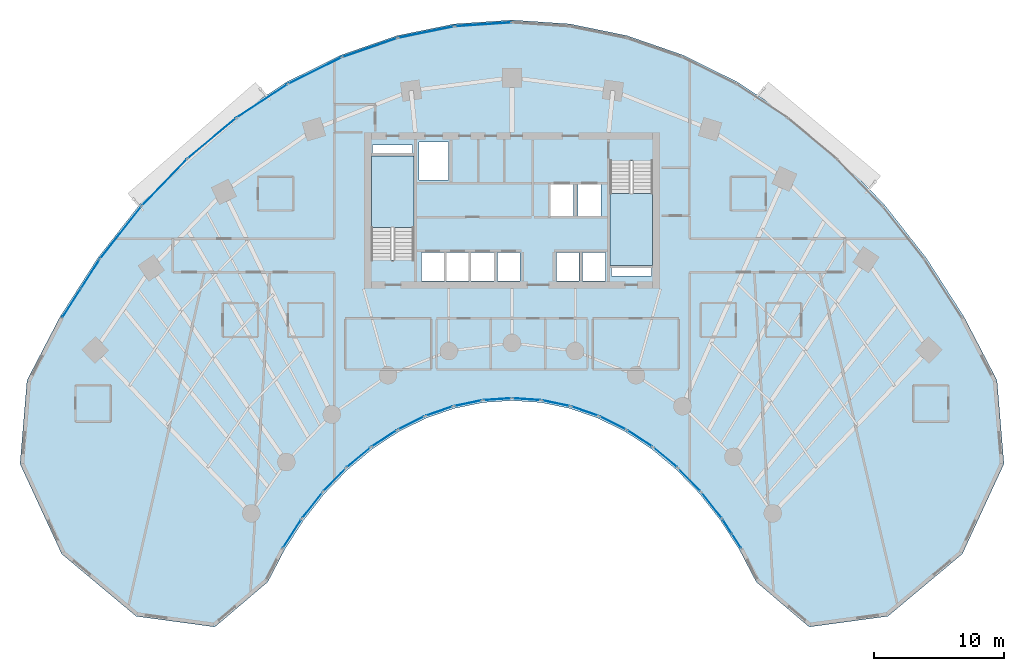
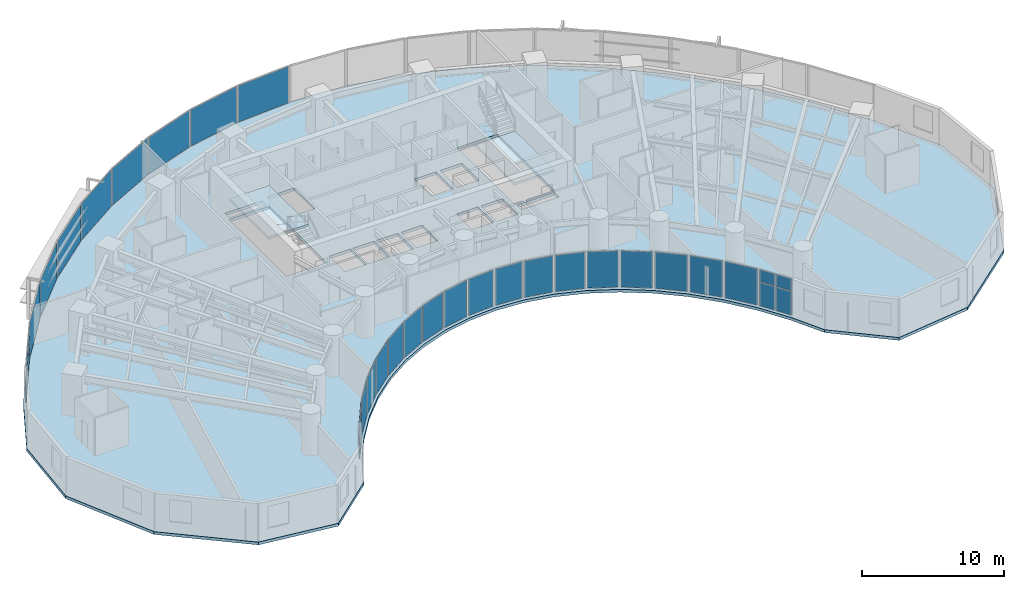
# One storey, part 9 of 17: 33 plates, 3 slabs, 29 elements without a shape of their own.
"""IFC4 building model written with IfcOpenShell, lengths in metres."""

from ifc_helpers import new_model, si_unit, direction, frame, origin, origin_2d, place, context, subcontext, project, spatial, polyline, rectangle, outline, extrude, source, transform, mapped, material, layer, layer_set, type_object, element, aggregate, save


model = new_model("IFC4")

# Units and contexts
model_context = context("Model", 3, precision=1e-05, world=origin(), true_north=direction((0.0, 1.0)))
body_context = subcontext(model_context, "Body", "Model", "MODEL_VIEW")
ifc_project = project(units=[si_unit("LENGTHUNIT", "METRE"), si_unit("AREAUNIT", "SQUARE_METRE"), si_unit("VOLUMEUNIT", "CUBIC_METRE"), si_unit("PLANEANGLEUNIT", "RADIAN"), si_unit("MASSUNIT", "GRAM", prefix="KILO")], contexts=[model_context])

# Site, building, storey
site_placement = place(None, origin())
site = spatial("IfcSite", under=ifc_project, at=site_placement, CompositionType="ELEMENT")
building_placement = place(site_placement, origin())
building = spatial("IfcBuilding", under=site, at=building_placement, Name="Breltana Convention Tower", CompositionType="ELEMENT")
storey_placement = place(building_placement, frame((0.0, 0.0, 82.199951171875)))
storey = spatial("IfcBuildingStorey", under=building, at=storey_placement, Name="L19", CompositionType="ELEMENT", Elevation=82.199951171875)

# Slab
ifc_material_1 = material(Name="Concrete C40/50", Category="concrete")
ifc_layer_1 = layer(ifc_material_1, 0.239990234375, Name="Concrete C40/50")
ifc_layer_set_1 = layer_set([ifc_layer_1], Name="Concrete C40/50")
slab_type_1 = type_object("IfcSlabType", Name="SL-HTL-240", PredefinedType="FLOOR", material=ifc_layer_set_1)
slab_1_placement = place(storey_placement, frame((0.0, 0.0, -0.239990234375)))
element("IfcSlab", 1, at=slab_1_placement, inside=storey, type_object=slab_type_1, Name="L19 Suspended Structural Floor Slab", PredefinedType="FLOOR", context=body_context, shape_type="SweptSolid", body=[
    extrude(outline(polyline([(85.229248046875, 53.173095703125), (82.687744140625, 58.054931640625), (79.791015625, 62.567626953125), (76.569091796875, 66.664794921875), (73.05419921875, 70.304931640625), (69.283203125, 73.450439453125), (65.2939453125, 76.069091796875), (61.1279296875, 78.134033203125), (56.827392578125, 79.62451171875), (52.436279296875, 80.52490234375), (48.0, 80.825927734375), (43.563720703125, 80.52490234375), (39.172607421875, 79.62451171875), (34.8720703125, 78.134033203125), (30.7060546875, 76.069091796875), (26.716796875, 73.450439453125), (22.94580078125, 70.304931640625), (19.430908203125, 66.664794921875), (16.208984375, 62.567626953125), (13.312255859375, 58.054931640625), (10.770751953125, 53.173095703125), (10.234619140625, 46.75927734375), (13.433837890625, 39.8388671875), (19.14697265625, 35.055419921875), (25.191162109375, 34.235595703125), (29.258056640625, 37.693115234375), (30.53759765625, 40.150634765625), (31.995849609375, 42.42236328125), (33.617919921875, 44.485107421875), (35.38720703125, 46.3173828125), (37.28564453125, 47.90087890625), (39.2939453125, 49.21923828125), (41.39111328125, 50.2587890625), (43.55615234375, 51.009033203125), (45.7666015625, 51.46240234375), (48.0, 51.614013671875), (50.2333984375, 51.46240234375), (52.44384765625, 51.009033203125), (54.60888671875, 50.2587890625), (56.7060546875, 49.21923828125), (58.71435546875, 47.90087890625), (60.61279296875, 46.3173828125), (62.382080078125, 44.485107421875), (64.004150390625, 42.42236328125), (65.46240234375, 40.150634765625), (66.741943359375, 37.693115234375), (70.808837890625, 34.235595703125), (76.85302734375, 35.055419921875), (82.566162109375, 39.8388671875), (85.765380859375, 46.75927734375), (85.229248046875, 53.173095703125)]), holes=[polyline([(37.199951171875, 62.385009765625), (40.469970703125, 62.385009765625), (40.469970703125, 70.39990234375), (37.199951171875, 70.39990234375), (37.199951171875, 62.385009765625)]), polyline([(55.530029296875, 62.0), (58.800048828125, 62.0), (58.800048828125, 70.014892578125), (55.530029296875, 70.014892578125), (55.530029296875, 62.0)]), polyline([(41.0400390625, 60.800048828125), (42.800048828125, 60.800048828125), (42.800048828125, 62.97998046875), (41.0400390625, 62.97998046875), (41.0400390625, 60.800048828125)]), polyline([(42.93994140625, 60.800048828125), (44.699951171875, 60.800048828125), (44.699951171875, 62.97998046875), (42.93994140625, 62.97998046875), (42.93994140625, 60.800048828125)]), polyline([(44.8701171875, 60.800048828125), (46.6298828125, 60.800048828125), (46.6298828125, 62.97998046875), (44.8701171875, 62.97998046875), (44.8701171875, 60.800048828125)]), polyline([(46.8701171875, 60.800048828125), (48.6298828125, 60.800048828125), (48.6298828125, 62.97998046875), (46.8701171875, 62.97998046875), (46.8701171875, 60.800048828125)]), polyline([(51.39990234375, 60.800048828125), (53.159912109375, 60.800048828125), (53.159912109375, 62.97998046875), (51.39990234375, 62.97998046875), (51.39990234375, 60.800048828125)]), polyline([(53.39990234375, 60.800048828125), (55.159912109375, 60.800048828125), (55.159912109375, 62.97998046875), (53.39990234375, 62.97998046875), (53.39990234375, 60.800048828125)]), polyline([(50.969970703125, 65.800048828125), (52.72998046875, 65.800048828125), (52.72998046875, 68.179931640625), (50.969970703125, 68.179931640625), (50.969970703125, 65.800048828125)]), polyline([(53.070068359375, 65.800048828125), (54.830078125, 65.800048828125), (54.830078125, 68.179931640625), (53.070068359375, 68.179931640625), (53.070068359375, 65.800048828125)]), polyline([(40.8798828125, 68.550048828125), (43.1201171875, 68.550048828125), (43.1201171875, 71.449951171875), (40.8798828125, 71.449951171875), (40.8798828125, 68.550048828125)]), polyline([(37.300048828125, 70.60009765625), (40.3798828125, 70.60009765625), (40.3798828125, 71.219970703125), (37.300048828125, 71.219970703125), (37.300048828125, 70.60009765625)]), polyline([(55.6201171875, 61.179931640625), (58.699951171875, 61.179931640625), (58.699951171875, 61.800048828125), (55.6201171875, 61.800048828125), (55.6201171875, 61.179931640625)])]), origin(), (0.0, 0.0, 1.0), 0.239990234375),
])

# Stair, slab
stair_type = type_object("IfcStairType", Name="ST-DOG-1560-R180", PredefinedType="HALF_TURN_STAIR", material=ifc_material_1)
stair_1_placement = place(storey_placement, origin())
stair_1 = element("IfcStair", 2, at=stair_1_placement, inside=storey, type_object=stair_type, Name="L19 Protected Core Exit Stair ST-1", PredefinedType="HALF_TURN_STAIR")
ifc_layer_2 = layer(ifc_material_1, 0.199951171875, Name="Concrete C40/50")
ifc_layer_set_2 = layer_set([ifc_layer_2], Name="Concrete C40/50")
slab_type_2 = type_object("IfcSlabType", Name="SL-STAIR-LANDING-200", PredefinedType="LANDING", material=ifc_layer_set_2)
slab_2_placement = place(storey_placement, frame((0.0, 0.0, 1.60009765625)))
slab_2 = element("IfcSlab", 3, at=slab_2_placement, type_object=slab_type_2, Name="ST-1 landing 1", PredefinedType="LANDING", context=body_context, shape_type="SweptSolid", body=[
    extrude(outline(polyline([(40.469970703125, 64.8798828125), (40.469970703125, 70.39990234375), (37.199951171875, 70.39990234375), (37.199951171875, 64.8798828125), (40.469970703125, 64.8798828125)])), origin(), (0.0, 0.0, 1.0), 0.199951171875),
])
aggregate(stair_1, [slab_2])

stair_2_placement = place(storey_placement, origin())
stair_2 = element("IfcStair", 4, at=stair_2_placement, inside=storey, type_object=stair_type, Name="L19 Protected Core Exit Stair ST-2", PredefinedType="HALF_TURN_STAIR")
slab_3_placement = place(storey_placement, frame((0.0, 0.0, 1.60009765625)))
slab_3 = element("IfcSlab", 5, at=slab_3_placement, type_object=slab_type_2, Name="ST-2 landing 1", PredefinedType="LANDING", context=body_context, shape_type="SweptSolid", body=[
    extrude(outline(polyline([(55.530029296875, 67.52001953125), (55.530029296875, 62.0), (58.800048828125, 62.0), (58.800048828125, 67.52001953125), (55.530029296875, 67.52001953125)])), origin(), (0.0, 0.0, 1.0), 0.199951171875),
])
aggregate(stair_2, [slab_3])

# Curtain wall, plates
ifc_material_2 = material(Name="Aluminium Anodised Bronze Frame", Category="aluminium")
ifc_layer_3 = layer(ifc_material_2, 0.18994140625, Name="Aluminium Anodised Bronze Frame")
ifc_layer_set_3 = layer_set([ifc_layer_3], Name="Aluminium Anodised Bronze Frame")
curtain_wall_type_1 = type_object("IfcCurtainWallType", Name="CW-SYS-1", PredefinedType="NOTDEFINED", material=ifc_layer_set_3)
curtain_wall_1_placement = place(storey_placement, origin())
curtain_wall_1 = element("IfcCurtainWall", 6, at=curtain_wall_1_placement, inside=storey, type_object=curtain_wall_type_1, Name="L19 inner south-court glazing 1", PredefinedType="NOTDEFINED")
ifc_material_3 = material(Name="Glass Low-E Double Glazing", Category="glass")
ifc_layer_4 = layer(ifc_material_3, 0.028076171875, Name="Glass Low-E Double Glazing")
ifc_layer_set_4 = layer_set([ifc_layer_4], Name="Glass Low-E Double Glazing")
plate_type_1 = type_object("IfcPlateType", Name="CWP-IGU-28", PredefinedType="CURTAIN_PANEL", material=ifc_layer_set_4)
shared_shape_1 = source(origin(), body_context, "Body", "SweptSolid", [
    extrude(rectangle(XDim=1.229736328125, YDim=0.028076171875, at=origin_2d()), origin(), (0.0, 0.0, 1.0), 2.011962890625),
])
plate_1_placement = place(storey_placement, frame((65.238525390625, 40.83251953125, 0.080078125), z_axis=(0.0, 0.0, 1.0), x_axis=(-0.540169576197, 0.841556194767, 0.0)))
plate_1 = element("IfcPlate", 7, at=plate_1_placement, type_object=plate_type_1, Name="CW-01 panel 1.1", PredefinedType="CURTAIN_PANEL", context=body_context, shape_type="MappedRepresentation", body=[
    mapped(shared_shape_1, transform((0.0, 0.0, 0.0), scale=1.0)),
])
plate_2_placement = place(storey_placement, frame((64.531005859375, 41.934814453125, 0.080078125), z_axis=(0.0, 0.0, 1.0), x_axis=(-0.540169576197, 0.841556194767, 0.0)))
plate_2 = element("IfcPlate", 8, at=plate_2_placement, type_object=plate_type_1, Name="CW-01 panel 2.1", PredefinedType="CURTAIN_PANEL", context=body_context, shape_type="MappedRepresentation", body=[
    mapped(shared_shape_1, transform((0.0, 0.0, 0.0), scale=1.0)),
])
shared_shape_2 = source(origin(), body_context, "Body", "SweptSolid", [
    extrude(rectangle(XDim=1.229736328125, YDim=0.028076171875, at=origin_2d()), origin(), (0.0, 0.0, 1.0), 1.028076171875),
])
plate_3_placement = place(storey_placement, frame((65.238525390625, 40.83251953125, 2.171875), z_axis=(0.0, 0.0, 1.0), x_axis=(-0.540169576197, 0.841556194767, 0.0)))
plate_3 = element("IfcPlate", 9, at=plate_3_placement, type_object=plate_type_1, Name="CW-01 panel 1.2", PredefinedType="CURTAIN_PANEL", context=body_context, shape_type="MappedRepresentation", body=[
    mapped(shared_shape_2, transform((0.0, 0.0, 0.0), scale=1.0)),
])
plate_4_placement = place(storey_placement, frame((64.531005859375, 41.934814453125, 2.171875), z_axis=(0.0, 0.0, 1.0), x_axis=(-0.540169576197, 0.841556194767, 0.0)))
plate_4 = element("IfcPlate", 10, at=plate_4_placement, type_object=plate_type_1, Name="CW-01 panel 2.2", PredefinedType="CURTAIN_PANEL", context=body_context, shape_type="MappedRepresentation", body=[
    mapped(shared_shape_2, transform((0.0, 0.0, 0.0), scale=1.0)),
])
aggregate(curtain_wall_1, [plate_1, plate_3, plate_2, plate_4])

# Curtain wall, plate
curtain_wall_2_placement = place(storey_placement, origin())
curtain_wall_2 = element("IfcCurtainWall", 11, at=curtain_wall_2_placement, inside=storey, type_object=curtain_wall_type_1, Name="L19 inner south-court glazing 2", PredefinedType="NOTDEFINED")
shared_shape_3 = source(origin(), body_context, "Body", "SweptSolid", [
    extrude(rectangle(XDim=2.464111328125, YDim=0.028076171875, at=origin_2d()), origin(), (0.0, 0.0, 1.0), 3.1201171875),
])
plate_5_placement = place(storey_placement, frame((63.334716796875, 43.56494140625, 0.080078125), z_axis=(0.0, 0.0, 1.0), x_axis=(-0.61815305034, 0.786057762734, 0.0)))
plate_5 = element("IfcPlate", 12, at=plate_5_placement, type_object=plate_type_1, Name="CW-01 panel 1.1", PredefinedType="CURTAIN_PANEL", context=body_context, shape_type="MappedRepresentation", body=[
    mapped(shared_shape_3, transform((0.0, 0.0, 0.0), scale=1.0)),
])
aggregate(curtain_wall_2, [plate_5])

curtain_wall_3_placement = place(storey_placement, origin())
curtain_wall_3 = element("IfcCurtainWall", 13, at=curtain_wall_3_placement, inside=storey, type_object=curtain_wall_type_1, Name="L19 inner south-court glazing 17", PredefinedType="NOTDEFINED")
plate_6_placement = place(storey_placement, frame((32.665283203125, 43.56494140625, 0.080078125), z_axis=(0.0, 0.0, 1.0), x_axis=(-0.61815305034, -0.786057762734, 0.0)))
plate_6 = element("IfcPlate", 14, at=plate_6_placement, type_object=plate_type_1, Name="CW-01 panel 1.1", PredefinedType="CURTAIN_PANEL", context=body_context, shape_type="MappedRepresentation", body=[
    mapped(shared_shape_3, transform((0.0, 0.0, 0.0), scale=1.0)),
])
aggregate(curtain_wall_3, [plate_6])

curtain_wall_4_placement = place(storey_placement, origin())
curtain_wall_4 = element("IfcCurtainWall", 15, at=curtain_wall_4_placement, inside=storey, type_object=curtain_wall_type_1, Name="L19 inner south-court glazing 3", PredefinedType="NOTDEFINED")
shared_shape_4 = source(origin(), body_context, "Body", "SweptSolid", [
    extrude(rectangle(XDim=2.38720703125, YDim=0.028076171875, at=origin_2d()), origin(), (0.0, 0.0, 1.0), 3.1201171875),
])
plate_7_placement = place(storey_placement, frame((61.626953125, 45.5263671875, 0.080078125), z_axis=(0.0, 0.0, 1.0), x_axis=(-0.694612029111, 0.719384548773, 0.0)))
plate_7 = element("IfcPlate", 16, at=plate_7_placement, type_object=plate_type_1, Name="CW-01 panel 1.1", PredefinedType="CURTAIN_PANEL", context=body_context, shape_type="MappedRepresentation", body=[
    mapped(shared_shape_4, transform((0.0, 0.0, 0.0), scale=1.0)),
])
aggregate(curtain_wall_4, [plate_7])

curtain_wall_5_placement = place(storey_placement, origin())
curtain_wall_5 = element("IfcCurtainWall", 17, at=curtain_wall_5_placement, inside=storey, type_object=curtain_wall_type_1, Name="L19 inner south-court glazing 16", PredefinedType="NOTDEFINED")
plate_8_placement = place(storey_placement, frame((34.373046875, 45.5263671875, 0.080078125), z_axis=(0.0, 0.0, 1.0), x_axis=(-0.694612029111, -0.719384548773, 0.0)))
plate_8 = element("IfcPlate", 18, at=plate_8_placement, type_object=plate_type_1, Name="CW-01 panel 1.1", PredefinedType="CURTAIN_PANEL", context=body_context, shape_type="MappedRepresentation", body=[
    mapped(shared_shape_4, transform((0.0, 0.0, 0.0), scale=1.0)),
])
aggregate(curtain_wall_5, [plate_8])

curtain_wall_6_placement = place(storey_placement, origin())
curtain_wall_6 = element("IfcCurtainWall", 19, at=curtain_wall_6_placement, inside=storey, type_object=curtain_wall_type_1, Name="L19 inner south-court glazing 4", PredefinedType="NOTDEFINED")
shared_shape_5 = source(origin(), body_context, "Body", "SweptSolid", [
    extrude(rectangle(XDim=2.312255859375, YDim=0.028076171875, at=origin_2d()), origin(), (0.0, 0.0, 1.0), 3.1201171875),
])
plate_9_placement = place(storey_placement, frame((59.77880859375, 47.24755859375, 0.080078125), z_axis=(0.0, 0.0, 1.0), x_axis=(-0.767939382804, 0.640522524458, 0.0)))
plate_9 = element("IfcPlate", 20, at=plate_9_placement, type_object=plate_type_1, Name="CW-01 panel 1.1", PredefinedType="CURTAIN_PANEL", context=body_context, shape_type="MappedRepresentation", body=[
    mapped(shared_shape_5, transform((0.0, 0.0, 0.0), scale=1.0)),
])
aggregate(curtain_wall_6, [plate_9])

curtain_wall_7_placement = place(storey_placement, origin())
curtain_wall_7 = element("IfcCurtainWall", 21, at=curtain_wall_7_placement, inside=storey, type_object=curtain_wall_type_1, Name="L19 inner south-court glazing 15", PredefinedType="NOTDEFINED")
plate_10_placement = place(storey_placement, frame((36.22119140625, 47.24755859375, 0.080078125), z_axis=(0.0, 0.0, 1.0), x_axis=(-0.767939382804, -0.640522524458, 0.0)))
plate_10 = element("IfcPlate", 22, at=plate_10_placement, type_object=plate_type_1, Name="CW-01 panel 1.1", PredefinedType="CURTAIN_PANEL", context=body_context, shape_type="MappedRepresentation", body=[
    mapped(shared_shape_5, transform((0.0, 0.0, 0.0), scale=1.0)),
])
aggregate(curtain_wall_7, [plate_10])

curtain_wall_8_placement = place(storey_placement, origin())
curtain_wall_8 = element("IfcCurtainWall", 23, at=curtain_wall_8_placement, inside=storey, type_object=curtain_wall_type_1, Name="L19 inner south-court glazing 5", PredefinedType="NOTDEFINED")
shared_shape_6 = source(origin(), body_context, "Body", "SweptSolid", [
    extrude(rectangle(XDim=2.2421875, YDim=0.028076171875, at=origin_2d()), origin(), (0.0, 0.0, 1.0), 3.1201171875),
])
plate_11_placement = place(storey_placement, frame((57.80908203125, 48.710693359375, 0.080078125), z_axis=(0.0, 0.0, 1.0), x_axis=(-0.835967942634, 0.548778278441, 0.0)))
plate_11 = element("IfcPlate", 24, at=plate_11_placement, type_object=plate_type_1, Name="CW-01 panel 1.1", PredefinedType="CURTAIN_PANEL", context=body_context, shape_type="MappedRepresentation", body=[
    mapped(shared_shape_6, transform((0.0, 0.0, 0.0), scale=1.0)),
])
aggregate(curtain_wall_8, [plate_11])

curtain_wall_9_placement = place(storey_placement, origin())
curtain_wall_9 = element("IfcCurtainWall", 25, at=curtain_wall_9_placement, inside=storey, type_object=curtain_wall_type_1, Name="L19 inner south-court glazing 14", PredefinedType="NOTDEFINED")
plate_12_placement = place(storey_placement, frame((38.19091796875, 48.710693359375, 0.080078125), z_axis=(0.0, 0.0, 1.0), x_axis=(-0.835967942634, -0.548778278441, 0.0)))
plate_12 = element("IfcPlate", 26, at=plate_12_placement, type_object=plate_type_1, Name="CW-01 panel 1.1", PredefinedType="CURTAIN_PANEL", context=body_context, shape_type="MappedRepresentation", body=[
    mapped(shared_shape_6, transform((0.0, 0.0, 0.0), scale=1.0)),
])
aggregate(curtain_wall_9, [plate_12])

curtain_wall_10_placement = place(storey_placement, origin())
curtain_wall_10 = element("IfcCurtainWall", 27, at=curtain_wall_10_placement, inside=storey, type_object=curtain_wall_type_1, Name="L19 inner south-court glazing 6", PredefinedType="NOTDEFINED")
shared_shape_7 = source(origin(), body_context, "Body", "SweptSolid", [
    extrude(rectangle(XDim=2.180908203125, YDim=0.028076171875, at=origin_2d()), origin(), (0.0, 0.0, 1.0), 3.1201171875),
])
plate_13_placement = place(storey_placement, frame((55.7373046875, 49.900390625, 0.080078125), z_axis=(0.0, 0.0, 1.0), x_axis=(-0.895968310315, 0.444117987602, 0.0)))
plate_13 = element("IfcPlate", 28, at=plate_13_placement, type_object=plate_type_1, Name="CW-01 panel 1.1", PredefinedType="CURTAIN_PANEL", context=body_context, shape_type="MappedRepresentation", body=[
    mapped(shared_shape_7, transform((0.0, 0.0, 0.0), scale=1.0)),
])
aggregate(curtain_wall_10, [plate_13])

curtain_wall_11_placement = place(storey_placement, origin())
curtain_wall_11 = element("IfcCurtainWall", 29, at=curtain_wall_11_placement, inside=storey, type_object=curtain_wall_type_1, Name="L19 inner south-court glazing 13", PredefinedType="NOTDEFINED")
plate_14_placement = place(storey_placement, frame((40.2626953125, 49.900390625, 0.080078125), z_axis=(0.0, 0.0, 1.0), x_axis=(-0.895968310315, -0.444117987602, 0.0)))
plate_14 = element("IfcPlate", 30, at=plate_14_placement, type_object=plate_type_1, Name="CW-01 panel 1.1", PredefinedType="CURTAIN_PANEL", context=body_context, shape_type="MappedRepresentation", body=[
    mapped(shared_shape_7, transform((0.0, 0.0, 0.0), scale=1.0)),
])
aggregate(curtain_wall_11, [plate_14])

curtain_wall_12_placement = place(storey_placement, origin())
curtain_wall_12 = element("IfcCurtainWall", 31, at=curtain_wall_12_placement, inside=storey, type_object=curtain_wall_type_1, Name="L19 inner south-court glazing 7", PredefinedType="NOTDEFINED")
shared_shape_8 = source(origin(), body_context, "Body", "SweptSolid", [
    extrude(rectangle(XDim=2.13134765625, YDim=0.028076171875, at=origin_2d()), origin(), (0.0, 0.0, 1.0), 3.1201171875),
])
plate_15_placement = place(storey_placement, frame((53.585205078125, 50.80419921875, 0.080078125), z_axis=(0.0, 0.0, 1.0), x_axis=(-0.944881211406, 0.327413341714, 0.0)))
plate_15 = element("IfcPlate", 32, at=plate_15_placement, type_object=plate_type_1, Name="CW-01 panel 1.1", PredefinedType="CURTAIN_PANEL", context=body_context, shape_type="MappedRepresentation", body=[
    mapped(shared_shape_8, transform((0.0, 0.0, 0.0), scale=1.0)),
])
aggregate(curtain_wall_12, [plate_15])

curtain_wall_13_placement = place(storey_placement, origin())
curtain_wall_13 = element("IfcCurtainWall", 33, at=curtain_wall_13_placement, inside=storey, type_object=curtain_wall_type_1, Name="L19 inner south-court glazing 12", PredefinedType="NOTDEFINED")
plate_16_placement = place(storey_placement, frame((42.414794921875, 50.80419921875, 0.080078125), z_axis=(0.0, 0.0, 1.0), x_axis=(-0.944881211406, -0.327413341714, 0.0)))
plate_16 = element("IfcPlate", 34, at=plate_16_placement, type_object=plate_type_1, Name="CW-01 panel 1.1", PredefinedType="CURTAIN_PANEL", context=body_context, shape_type="MappedRepresentation", body=[
    mapped(shared_shape_8, transform((0.0, 0.0, 0.0), scale=1.0)),
])
aggregate(curtain_wall_13, [plate_16])

curtain_wall_14_placement = place(storey_placement, origin())
curtain_wall_14 = element("IfcCurtainWall", 35, at=curtain_wall_14_placement, inside=storey, type_object=curtain_wall_type_1, Name="L19 inner south-court glazing 8", PredefinedType="NOTDEFINED")
shared_shape_9 = source(origin(), body_context, "Body", "SweptSolid", [
    extrude(rectangle(XDim=2.096435546875, YDim=0.028076171875, at=origin_2d()), origin(), (0.0, 0.0, 1.0), 3.1201171875),
])
plate_17_placement = place(storey_placement, frame((51.374755859375, 51.412109375, 0.080078125), z_axis=(0.0, 0.0, 1.0), x_axis=(-0.97961455393, 0.200886350278, 0.0)))
plate_17 = element("IfcPlate", 36, at=plate_17_placement, type_object=plate_type_1, Name="CW-01 panel 1.1", PredefinedType="CURTAIN_PANEL", context=body_context, shape_type="MappedRepresentation", body=[
    mapped(shared_shape_9, transform((0.0, 0.0, 0.0), scale=1.0)),
])
aggregate(curtain_wall_14, [plate_17])

curtain_wall_15_placement = place(storey_placement, origin())
curtain_wall_15 = element("IfcCurtainWall", 37, at=curtain_wall_15_placement, inside=storey, type_object=curtain_wall_type_1, Name="L19 inner south-court glazing 11", PredefinedType="NOTDEFINED")
plate_18_placement = place(storey_placement, frame((44.625244140625, 51.412109375, 0.080078125), z_axis=(0.0, 0.0, 1.0), x_axis=(-0.97961455393, -0.200886350278, 0.0)))
plate_18 = element("IfcPlate", 38, at=plate_18_placement, type_object=plate_type_1, Name="CW-01 panel 1.1", PredefinedType="CURTAIN_PANEL", context=body_context, shape_type="MappedRepresentation", body=[
    mapped(shared_shape_9, transform((0.0, 0.0, 0.0), scale=1.0)),
])
aggregate(curtain_wall_15, [plate_18])

curtain_wall_16_placement = place(storey_placement, origin())
curtain_wall_16 = element("IfcCurtainWall", 39, at=curtain_wall_16_placement, inside=storey, type_object=curtain_wall_type_1, Name="L19 inner south-court glazing 9", PredefinedType="NOTDEFINED")
shared_shape_10 = source(origin(), body_context, "Body", "SweptSolid", [
    extrude(rectangle(XDim=2.078369140625, YDim=0.028076171875, at=origin_2d()), origin(), (0.0, 0.0, 1.0), 3.1201171875),
])
plate_19_placement = place(storey_placement, frame((49.12890625, 51.7177734375, 0.080078125), z_axis=(0.0, 0.0, 1.0), x_axis=(-0.997703975371, 0.067725752326, 0.0)))
plate_19 = element("IfcPlate", 40, at=plate_19_placement, type_object=plate_type_1, Name="CW-01 panel 1.1", PredefinedType="CURTAIN_PANEL", context=body_context, shape_type="MappedRepresentation", body=[
    mapped(shared_shape_10, transform((0.0, 0.0, 0.0), scale=1.0)),
])
aggregate(curtain_wall_16, [plate_19])

curtain_wall_17_placement = place(storey_placement, origin())
curtain_wall_17 = element("IfcCurtainWall", 41, at=curtain_wall_17_placement, inside=storey, type_object=curtain_wall_type_1, Name="L19 inner south-court glazing 10", PredefinedType="NOTDEFINED")
plate_20_placement = place(storey_placement, frame((46.87109375, 51.7177734375, 0.080078125), z_axis=(0.0, 0.0, 1.0), x_axis=(-0.997703975371, -0.067725752326, 0.0)))
plate_20 = element("IfcPlate", 42, at=plate_20_placement, type_object=plate_type_1, Name="CW-01 panel 1.1", PredefinedType="CURTAIN_PANEL", context=body_context, shape_type="MappedRepresentation", body=[
    mapped(shared_shape_10, transform((0.0, 0.0, 0.0), scale=1.0)),
])
aggregate(curtain_wall_17, [plate_20])

curtain_wall_18_placement = place(storey_placement, origin())
curtain_wall_18 = element("IfcCurtainWall", 43, at=curtain_wall_18_placement, inside=storey, type_object=curtain_wall_type_1, Name="L19 inner south-court glazing 18", PredefinedType="NOTDEFINED")
shared_shape_11 = source(origin(), body_context, "Body", "SweptSolid", [
    extrude(rectangle(XDim=2.53955078125, YDim=0.028076171875, at=origin_2d()), origin(), (0.0, 0.0, 1.0), 3.1201171875),
])
plate_21_placement = place(storey_placement, frame((31.115234375, 41.3837890625, 0.080078125), z_axis=(0.0, 0.0, 1.0), x_axis=(-0.540169576197, -0.841556194767, 0.0)))
plate_21 = element("IfcPlate", 44, at=plate_21_placement, type_object=plate_type_1, Name="CW-01 panel 1.1", PredefinedType="CURTAIN_PANEL", context=body_context, shape_type="MappedRepresentation", body=[
    mapped(shared_shape_11, transform((0.0, 0.0, 0.0), scale=1.0)),
])
aggregate(curtain_wall_18, [plate_21])

# Curtain wall, plates
ifc_layer_5 = layer(ifc_material_2, 0.199951171875, Name="Aluminium Anodised Bronze Frame")
ifc_layer_set_5 = layer_set([ifc_layer_5], Name="Aluminium Anodised Bronze Frame")
curtain_wall_type_2 = type_object("IfcCurtainWallType", Name="CW-SYS-2", PredefinedType="NOTDEFINED", material=ifc_layer_set_5)
curtain_wall_19_placement = place(storey_placement, origin())
curtain_wall_19 = element("IfcCurtainWall", 45, at=curtain_wall_19_placement, inside=storey, type_object=curtain_wall_type_2, Name="L19 outer double-skin inner glazing 1", PredefinedType="NOTDEFINED")
ifc_layer_6 = layer(ifc_material_3, 0.031982421875, Name="Glass Low-E Double Glazing")
ifc_layer_set_6 = layer_set([ifc_layer_6], Name="Glass Low-E Double Glazing")
plate_type_2 = type_object("IfcPlateType", Name="CWP-IGU-32", PredefinedType="CURTAIN_PANEL", material=ifc_layer_set_6)
shared_shape_12 = source(origin(), body_context, "Body", "SweptSolid", [
    extrude(rectangle(XDim=2.56787109375, YDim=0.031982421875, at=origin_2d()), origin(), (0.0, 0.0, 1.0), 2.027099609375),
])
plate_22_placement = place(storey_placement, frame((14.199462890625, 59.103759765625, 0.06982421875), z_axis=(0.0, 0.0, 1.0), x_axis=(0.540180724109, 0.841549039154, 0.0)))
plate_22 = element("IfcPlate", 46, at=plate_22_placement, type_object=plate_type_2, Name="CW-02 panel 1.1", PredefinedType="CURTAIN_PANEL", context=body_context, shape_type="MappedRepresentation", body=[
    mapped(shared_shape_12, transform((0.0, 0.0, 0.0), scale=1.0)),
])
plate_23_placement = place(storey_placement, frame((15.624267578125, 61.32373046875, 0.06982421875), z_axis=(0.0, 0.0, 1.0), x_axis=(0.540180724109, 0.841549039154, 0.0)))
plate_23 = element("IfcPlate", 47, at=plate_23_placement, type_object=plate_type_2, Name="CW-02 panel 2.1", PredefinedType="CURTAIN_PANEL", context=body_context, shape_type="MappedRepresentation", body=[
    mapped(shared_shape_12, transform((0.0, 0.0, 0.0), scale=1.0)),
])
shared_shape_13 = source(origin(), body_context, "Body", "SweptSolid", [
    extrude(rectangle(XDim=2.56787109375, YDim=0.031982421875, at=origin_2d()), origin(), (0.0, 0.0, 1.0), 1.04296875),
])
plate_24_placement = place(storey_placement, frame((14.199462890625, 59.103759765625, 2.1669921875), z_axis=(0.0, 0.0, 1.0), x_axis=(0.540180724109, 0.841549039154, 0.0)))
plate_24 = element("IfcPlate", 48, at=plate_24_placement, type_object=plate_type_2, Name="CW-02 panel 1.2", PredefinedType="CURTAIN_PANEL", context=body_context, shape_type="MappedRepresentation", body=[
    mapped(shared_shape_13, transform((0.0, 0.0, 0.0), scale=1.0)),
])
plate_25_placement = place(storey_placement, frame((15.624267578125, 61.32373046875, 2.1669921875), z_axis=(0.0, 0.0, 1.0), x_axis=(0.540180724109, 0.841549039154, 0.0)))
plate_25 = element("IfcPlate", 49, at=plate_25_placement, type_object=plate_type_2, Name="CW-02 panel 2.2", PredefinedType="CURTAIN_PANEL", context=body_context, shape_type="MappedRepresentation", body=[
    mapped(shared_shape_13, transform((0.0, 0.0, 0.0), scale=1.0)),
])
aggregate(curtain_wall_19, [plate_22, plate_24, plate_23, plate_25])

# Curtain wall, plate
curtain_wall_20_placement = place(storey_placement, origin())
curtain_wall_20 = element("IfcCurtainWall", 50, at=curtain_wall_20_placement, inside=storey, type_object=curtain_wall_type_2, Name="L19 outer double-skin inner glazing 2", PredefinedType="NOTDEFINED")
shared_shape_14 = source(origin(), body_context, "Body", "SweptSolid", [
    extrude(rectangle(XDim=5.0546875, YDim=0.031982421875, at=origin_2d()), origin(), (0.0, 0.0, 1.0), 3.139892578125),
])
plate_26_placement = place(storey_placement, frame((17.961181640625, 64.504638671875, 0.0703125), z_axis=(0.0, 0.0, 1.0), x_axis=(0.618153917633, 0.786057080698, 0.0)))
plate_26 = element("IfcPlate", 51, at=plate_26_placement, type_object=plate_type_2, Name="CW-02 panel 1.1", PredefinedType="CURTAIN_PANEL", context=body_context, shape_type="MappedRepresentation", body=[
    mapped(shared_shape_14, transform((0.0, 0.0, 0.0), scale=1.0)),
])
aggregate(curtain_wall_20, [plate_26])

curtain_wall_21_placement = place(storey_placement, origin())
curtain_wall_21 = element("IfcCurtainWall", 52, at=curtain_wall_21_placement, inside=storey, type_object=curtain_wall_type_2, Name="L19 outer double-skin inner glazing 3", PredefinedType="NOTDEFINED")
shared_shape_15 = source(origin(), body_context, "Body", "SweptSolid", [
    extrude(rectangle(XDim=4.901123046875, YDim=0.031982421875, at=origin_2d()), origin(), (0.0, 0.0, 1.0), 3.139892578125),
])
plate_27_placement = place(storey_placement, frame((21.317626953125, 68.359619140625, 0.0703125), z_axis=(0.0, 0.0, 1.0), x_axis=(0.694610090106, 0.719386421003, 0.0)))
plate_27 = element("IfcPlate", 53, at=plate_27_placement, type_object=plate_type_2, Name="CW-02 panel 1.1", PredefinedType="CURTAIN_PANEL", context=body_context, shape_type="MappedRepresentation", body=[
    mapped(shared_shape_15, transform((0.0, 0.0, 0.0), scale=1.0)),
])
aggregate(curtain_wall_21, [plate_27])

curtain_wall_22_placement = place(storey_placement, origin())
curtain_wall_22 = element("IfcCurtainWall", 54, at=curtain_wall_22_placement, inside=storey, type_object=curtain_wall_type_2, Name="L19 outer double-skin inner glazing 4", PredefinedType="NOTDEFINED")
shared_shape_16 = source(origin(), body_context, "Body", "SweptSolid", [
    extrude(rectangle(XDim=4.7509765625, YDim=0.031982421875, at=origin_2d()), origin(), (0.0, 0.0, 1.0), 3.139892578125),
])
plate_28_placement = place(storey_placement, frame((24.9462890625, 71.7392578125, 0.0703125), z_axis=(0.0, 0.0, 1.0), x_axis=(0.767941326958, 0.640520193554, 0.0)))
plate_28 = element("IfcPlate", 55, at=plate_28_placement, type_object=plate_type_2, Name="CW-02 panel 1.1", PredefinedType="CURTAIN_PANEL", context=body_context, shape_type="MappedRepresentation", body=[
    mapped(shared_shape_16, transform((0.0, 0.0, 0.0), scale=1.0)),
])
aggregate(curtain_wall_22, [plate_28])

curtain_wall_23_placement = place(storey_placement, origin())
curtain_wall_23 = element("IfcCurtainWall", 56, at=curtain_wall_23_placement, inside=storey, type_object=curtain_wall_type_2, Name="L19 outer double-skin inner glazing 5", PredefinedType="NOTDEFINED")
shared_shape_17 = source(origin(), body_context, "Body", "SweptSolid", [
    extrude(rectangle(XDim=4.610595703125, YDim=0.031982421875, at=origin_2d()), origin(), (0.0, 0.0, 1.0), 3.139892578125),
])
plate_29_placement = place(storey_placement, frame((28.81005859375, 74.609130859375, 0.0703125), z_axis=(0.0, 0.0, 1.0), x_axis=(0.83596401875, 0.548784255746, 0.0)))
plate_29 = element("IfcPlate", 57, at=plate_29_placement, type_object=plate_type_2, Name="CW-02 panel 1.1", PredefinedType="CURTAIN_PANEL", context=body_context, shape_type="MappedRepresentation", body=[
    mapped(shared_shape_17, transform((0.0, 0.0, 0.0), scale=1.0)),
])
aggregate(curtain_wall_23, [plate_29])

curtain_wall_24_placement = place(storey_placement, origin())
curtain_wall_24 = element("IfcCurtainWall", 58, at=curtain_wall_24_placement, inside=storey, type_object=curtain_wall_type_2, Name="L19 outer double-skin inner glazing 6", PredefinedType="NOTDEFINED")
shared_shape_18 = source(origin(), body_context, "Body", "SweptSolid", [
    extrude(rectangle(XDim=4.487548828125, YDim=0.031982421875, at=origin_2d()), origin(), (0.0, 0.0, 1.0), 3.139892578125),
])
plate_30_placement = place(storey_placement, frame((32.86865234375, 76.940185546875, 0.0703125), z_axis=(0.0, 0.0, 1.0), x_axis=(0.895973407804, 0.444107703726, 0.0)))
plate_30 = element("IfcPlate", 59, at=plate_30_placement, type_object=plate_type_2, Name="CW-02 panel 1.1", PredefinedType="CURTAIN_PANEL", context=body_context, shape_type="MappedRepresentation", body=[
    mapped(shared_shape_18, transform((0.0, 0.0, 0.0), scale=1.0)),
])
aggregate(curtain_wall_24, [plate_30])

curtain_wall_25_placement = place(storey_placement, origin())
curtain_wall_25 = element("IfcCurtainWall", 60, at=curtain_wall_25_placement, inside=storey, type_object=curtain_wall_type_2, Name="L19 outer double-skin inner glazing 7", PredefinedType="NOTDEFINED")
shared_shape_19 = source(origin(), body_context, "Body", "SweptSolid", [
    extrude(rectangle(XDim=4.388427734375, YDim=0.031982421875, at=origin_2d()), origin(), (0.0, 0.0, 1.0), 3.139892578125),
])
plate_31_placement = place(storey_placement, frame((37.0810546875, 78.709228515625, 0.0703125), z_axis=(0.0, 0.0, 1.0), x_axis=(0.944876012163, 0.32742834581, 0.0)))
plate_31 = element("IfcPlate", 61, at=plate_31_placement, type_object=plate_type_2, Name="CW-02 panel 1.1", PredefinedType="CURTAIN_PANEL", context=body_context, shape_type="MappedRepresentation", body=[
    mapped(shared_shape_19, transform((0.0, 0.0, 0.0), scale=1.0)),
])
aggregate(curtain_wall_25, [plate_31])

curtain_wall_26_placement = place(storey_placement, origin())
curtain_wall_26 = element("IfcCurtainWall", 62, at=curtain_wall_26_placement, inside=storey, type_object=curtain_wall_type_2, Name="L19 outer double-skin inner glazing 8", PredefinedType="NOTDEFINED")
shared_shape_20 = source(origin(), body_context, "Body", "SweptSolid", [
    extrude(rectangle(XDim=4.318359375, YDim=0.031982421875, at=origin_2d()), origin(), (0.0, 0.0, 1.0), 3.139892578125),
])
plate_32_placement = place(storey_placement, frame((41.404296875, 79.898193359375, 0.0703125), z_axis=(0.0, 0.0, 1.0), x_axis=(0.979614925743, 0.200884537139, 0.0)))
plate_32 = element("IfcPlate", 63, at=plate_32_placement, type_object=plate_type_2, Name="CW-02 panel 1.1", PredefinedType="CURTAIN_PANEL", context=body_context, shape_type="MappedRepresentation", body=[
    mapped(shared_shape_20, transform((0.0, 0.0, 0.0), scale=1.0)),
])
aggregate(curtain_wall_26, [plate_32])

curtain_wall_27_placement = place(storey_placement, origin())
curtain_wall_27 = element("IfcCurtainWall", 64, at=curtain_wall_27_placement, inside=storey, type_object=curtain_wall_type_2, Name="L19 outer double-skin inner glazing 9", PredefinedType="NOTDEFINED")
shared_shape_21 = source(origin(), body_context, "Body", "SweptSolid", [
    extrude(rectangle(XDim=4.2822265625, YDim=0.031982421875, at=origin_2d()), origin(), (0.0, 0.0, 1.0), 3.139892578125),
])
plate_33_placement = place(storey_placement, frame((45.7939453125, 80.495849609375, 0.0703125), z_axis=(0.0, 0.0, 1.0), x_axis=(0.997703982282, 0.067725650529, 0.0)))
plate_33 = element("IfcPlate", 65, at=plate_33_placement, type_object=plate_type_2, Name="CW-02 panel 1.1", PredefinedType="CURTAIN_PANEL", context=body_context, shape_type="MappedRepresentation", body=[
    mapped(shared_shape_21, transform((0.0, 0.0, 0.0), scale=1.0)),
])
aggregate(curtain_wall_27, [plate_33])

save(model, "model.ifc")
